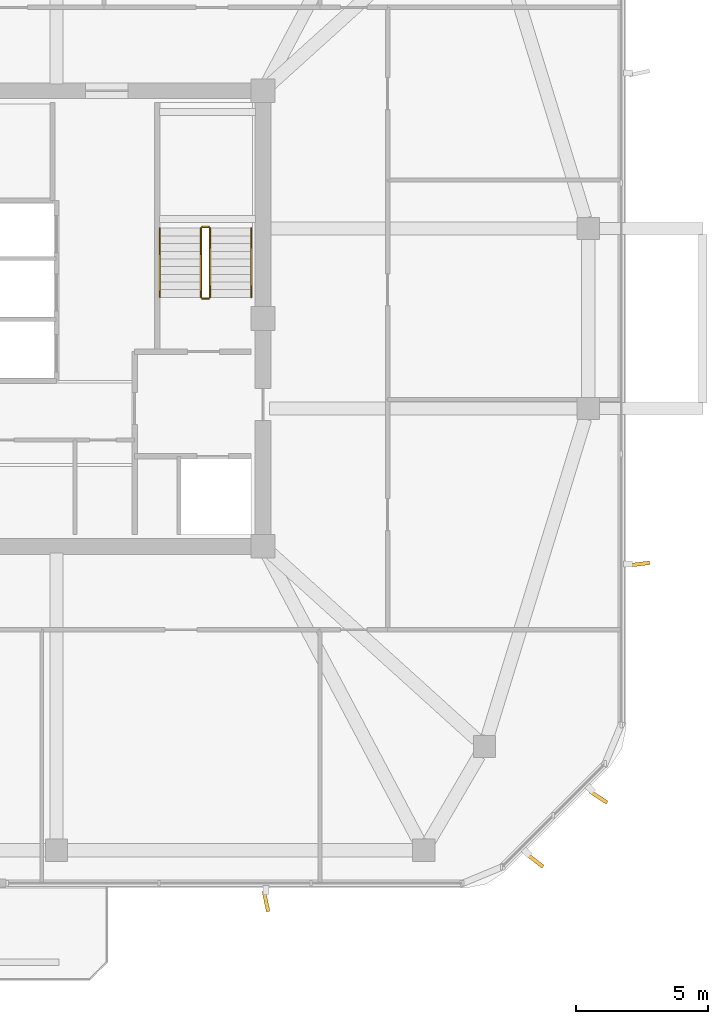
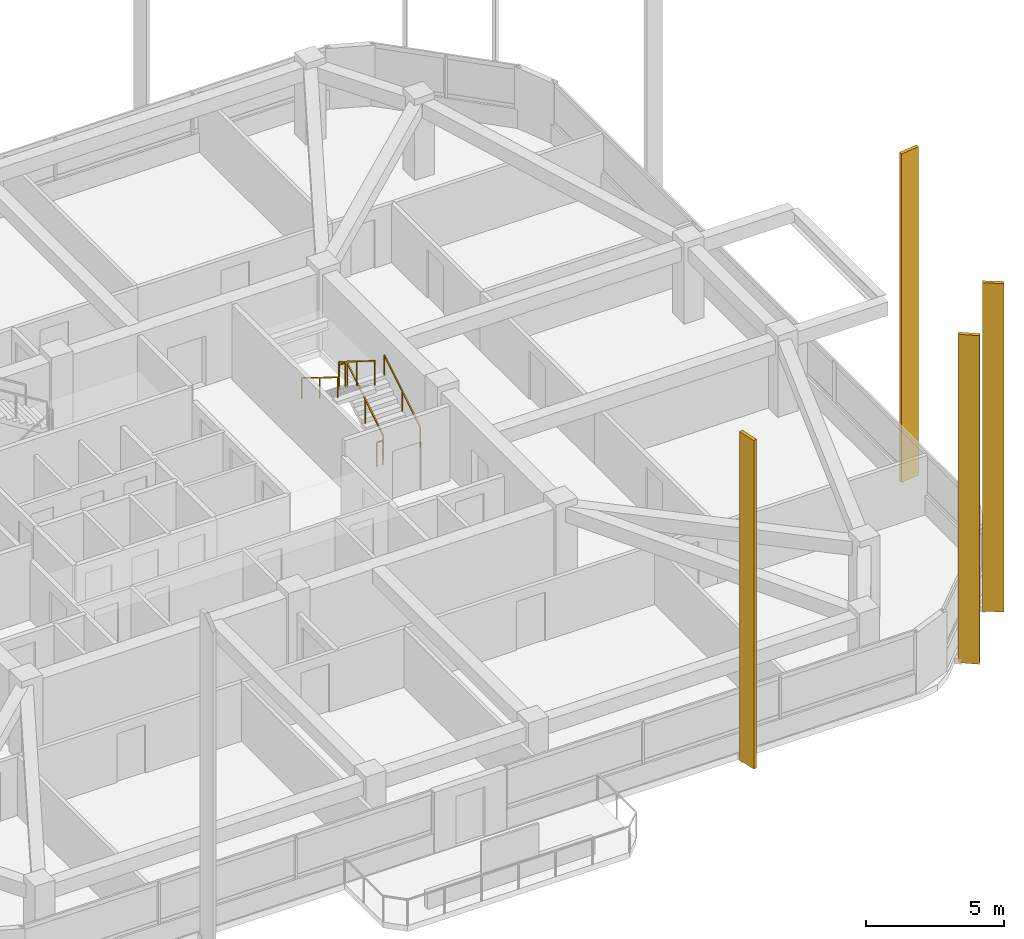
# One storey, part 12 of 13: 6 railings, 4 shading devices.
"""IFC4 building model written with IfcOpenShell, lengths in metres."""

import ifcopenshell
import ifcopenshell.guid

model = None  # the IFC model being written
_history = None  # IfcOwnerHistory: only IFC2X3 demands one
_inside = {}  # id of a spatial element -> (the spatial element, [elements in it])
_under = {}  # id of a project, library or spatial element -> (it, [spatial elements below it])
_declared = {}  # id of a project -> (the project, [libraries it declares])
_typed = {}  # id of a type object -> (the type object, [elements of that type])
_made_of = {}  # id of a material, layer set ... -> (it, [elements and type objects made of it])


def new_model(schema):
    """Start an empty IFC model of exactly this schema.

    Asked for "IFC4X3", IfcOpenShell would pick the latest addendum, in which some entities
    have other attributes; the version numbers below select the first issue.
    IFC2X3 requires an IfcOwnerHistory on every rooted entity: one is made here for all.
    """
    global model, _history
    if schema == "IFC4X3":
        model = ifcopenshell.file(schema_version=(4, 3, 0, 0))
    else:
        model = ifcopenshell.file(schema=schema)
    _inside.clear()
    _under.clear()
    _declared.clear()
    _typed.clear()
    _made_of.clear()
    _history = None
    if model.schema == "IFC2X3":
        org = make("IfcOrganization", Name="unknown")
        user = make(
            "IfcPersonAndOrganization",
            ThePerson=make("IfcPerson", FamilyName="unknown"),
            TheOrganization=org,
        )
        app = make(
            "IfcApplication",
            ApplicationDeveloper=org,
            Version="unknown",
            ApplicationFullName="unknown",
            ApplicationIdentifier="unknown",
        )
        _history = make(
            "IfcOwnerHistory",
            OwningUser=user,
            OwningApplication=app,
            ChangeAction="ADDED",
            CreationDate=0,
        )
    return model


def make(cls, **values):
    """One entity of the class cls with the attributes given. An attribute that is None is left unset."""
    return model.create_entity(
        cls, **{name: value for name, value in values.items() if value is not None}
    )


def rooted(cls, **values):
    """An entity with a GlobalId (a new one), such as an element, a storey or a relation."""
    return make(cls, GlobalId=ifcopenshell.guid.new(), OwnerHistory=_history, **values)


def si_unit(unit_type, name, prefix=None):
    """IfcSIUnit, for example si_unit("LENGTHUNIT", "METRE", prefix="MILLI")."""
    return make("IfcSIUnit", UnitType=unit_type, Prefix=prefix, Name=name)


def derived_unit(unit_type, elements):
    """IfcDerivedUnit: a product of units, each with its exponent."""
    return make(
        "IfcDerivedUnit",
        Elements=[
            make("IfcDerivedUnitElement", Unit=unit, Exponent=power)
            for unit, power in elements
        ],
        UnitType=unit_type,
    )


def assignment(units):
    """IfcUnitAssignment: the units of a project."""
    return None if units is None else make("IfcUnitAssignment", Units=units)


def point(xyz):
    """IfcCartesianPoint."""
    return None if xyz is None else make("IfcCartesianPoint", Coordinates=xyz)


def direction(xyz):
    """IfcDirection."""
    return None if xyz is None else make("IfcDirection", DirectionRatios=xyz)


def frame(location, z_axis=None, x_axis=None):
    """IfcAxis2Placement3D, a coordinate frame: its origin and axes. An axis left out is left unset."""
    return make(
        "IfcAxis2Placement3D",
        Location=point(location),
        Axis=direction(z_axis),
        RefDirection=direction(x_axis),
    )


def frame_2d(location, x_axis=None):
    """IfcAxis2Placement2D, a coordinate frame in the plane: its origin and x axis."""
    return make(
        "IfcAxis2Placement2D", Location=point(location), RefDirection=direction(x_axis)
    )


def origin():
    """The frame at (0, 0, 0) with its axes left unset."""
    return frame((0.0, 0.0, 0.0))


def origin_2d():
    """The frame at (0, 0) in the plane with its x axis left unset."""
    return frame_2d((0.0, 0.0))


def place(relative_to, where):
    """IfcLocalPlacement: puts the frame where relative to a parent placement (None: the world)."""
    return make(
        "IfcLocalPlacement", PlacementRelTo=relative_to, RelativePlacement=where
    )


def context(
    kind, dimensions, precision=None, world=None, true_north=None, identifier=None
):
    """IfcGeometricRepresentationContext, for example the 3D "Model" context."""
    return make(
        "IfcGeometricRepresentationContext",
        ContextIdentifier=identifier,
        ContextType=kind,
        CoordinateSpaceDimension=dimensions,
        Precision=precision,
        WorldCoordinateSystem=world,
        TrueNorth=true_north,
    )


def subcontext(parent, identifier, kind, view, scale=None):
    """IfcGeometricRepresentationSubContext, for example "Body" below "Model"."""
    return make(
        "IfcGeometricRepresentationSubContext",
        ContextIdentifier=identifier,
        ContextType=kind,
        ParentContext=parent,
        TargetScale=scale,
        TargetView=view,
    )


def project(units=None, contexts=None):
    """IfcProject with its units and contexts."""
    return rooted(
        "IfcProject",
        Name="project",
        RepresentationContexts=contexts,
        UnitsInContext=assignment(units),
    )


def spatial(cls, under=None, at=None, **own):
    """A site, building, storey or space (cls), placed at a placement, below another one or the project."""
    s = rooted(cls, ObjectPlacement=at, **own)
    if under is not None:
        _under.setdefault(under.id(), (under, []))[1].append(s)
    return s


def profile(cls, at=None, kind="AREA", **sizes):
    """A parametric profile (cls). Its sizes go by their IFC names, for example OverallWidth=200.0."""
    return make(cls, ProfileType=kind, Position=at, **sizes)


def rectangle(**sizes):
    """IfcRectangleProfileDef."""
    return profile("IfcRectangleProfileDef", **sizes)


def extrude(swept, where, along, depth):
    """IfcExtrudedAreaSolid: the profile swept, set in the frame where, extruded along a direction by depth."""
    return make(
        "IfcExtrudedAreaSolid",
        SweptArea=swept,
        Position=where,
        ExtrudedDirection=direction(along),
        Depth=depth,
    )


def shape(context_of_items, identifier, shape_type, items):
    """IfcShapeRepresentation: the items that make up one representation, for example the "Body"."""
    return make(
        "IfcShapeRepresentation",
        ContextOfItems=context_of_items,
        RepresentationIdentifier=identifier,
        RepresentationType=shape_type,
        Items=items,
    )


def material(Name=None, Category=None):
    """IfcMaterial."""
    return make("IfcMaterial", Name=Name, Category=Category)


def made_of(thing, what):
    """Note that an element or type object is made of a material, layer set ...; save() writes the relation."""
    if what is not None:
        _made_of.setdefault(what.id(), (what, []))[1].append(thing)
    return thing


def type_object(cls, material=None, **own):
    """A type object (cls), such as IfcWallType, which elements share."""
    return made_of(rooted(cls, **own), material)


def element(
    cls,
    number,
    at=None,
    inside=None,
    cuts=None,
    type_object=None,
    material=None,
    context=None,
    identifier="Body",
    shape_type=None,
    held_by="IfcProductDefinitionShape",
    body=None,
    shapes=None,
    **own,
):
    """One element of the class cls, such as IfcWall. Its Tag is "e" and its number.

    at: its placement. inside: the storey or other place that contains it. cuts: it is an
    opening in that element (IfcRelVoidsElement). A single representation is given by context,
    identifier, shape_type and body (its items); several are given by shapes. held_by: the class
    of the entity that holds the representations. save() writes the other relations.
    """
    e = rooted(cls, Tag="e%d" % number, ObjectPlacement=at, **own)
    if body is not None:
        shapes = [shape(context, identifier, shape_type, body)]
    if shapes is not None:
        e.Representation = make(held_by, Representations=shapes)
    if inside is not None:
        _inside.setdefault(inside.id(), (inside, []))[1].append(e)
    if cuts is not None:
        rooted(
            "IfcRelVoidsElement", RelatingBuildingElement=cuts, RelatedOpeningElement=e
        )
    if type_object is not None:
        _typed.setdefault(type_object.id(), (type_object, []))[1].append(e)
    return made_of(e, material)


def aggregate(whole, parts):
    """IfcRelAggregates: a whole, such as a stair, and the parts it consists of."""
    return rooted("IfcRelAggregates", RelatingObject=whole, RelatedObjects=parts)


def save(model, path):
    """Write the relations noted so far, then the file.

    IfcRelAggregates (storeys below a building ...), IfcRelContainedInSpatialStructure (elements
    in a storey), IfcRelDefinesByType, IfcRelAssociatesMaterial and IfcRelDeclares: one each for
    every whole, place, type object, material and project.
    """
    for whole, parts in _under.values():
        aggregate(whole, parts)
    for where, things in _inside.values():
        rooted(
            "IfcRelContainedInSpatialStructure",
            RelatedElements=things,
            RelatingStructure=where,
        )
    for kind, things in _typed.values():
        rooted("IfcRelDefinesByType", RelatedObjects=things, RelatingType=kind)
    for what, things in _made_of.values():
        rooted("IfcRelAssociatesMaterial", RelatedObjects=things, RelatingMaterial=what)
    for by, libraries in _declared.values():
        rooted("IfcRelDeclares", RelatingContext=by, RelatedDefinitions=libraries)
    model.write(path)


model = new_model("IFC4")

# Units and contexts
model_context = context("Model", 3, precision=1e-05, world=origin(), true_north=direction((0.0, 1.0)))
body_context = subcontext(model_context, "Body", "Model", "MODEL_VIEW")
ifc_project = project(units=[si_unit("LENGTHUNIT", "METRE"), si_unit("AREAUNIT", "SQUARE_METRE"), si_unit("VOLUMEUNIT", "CUBIC_METRE"), si_unit("PLANEANGLEUNIT", "RADIAN"), si_unit("MASSUNIT", "GRAM", prefix="KILO"), derived_unit("THERMALTRANSMITTANCEUNIT", [(si_unit("POWERUNIT", "WATT"), 1), (si_unit("LENGTHUNIT", "METRE"), -2), (si_unit("THERMODYNAMICTEMPERATUREUNIT", "KELVIN"), -1)])], contexts=[model_context])

# Site, building, storey
site_placement = place(None, origin())
site = spatial("IfcSite", under=ifc_project, at=site_placement, CompositionType="ELEMENT")
building_placement = place(site_placement, origin())
building = spatial("IfcBuilding", under=site, at=building_placement, Name="Koralith Skygarden Medical Center", CompositionType="ELEMENT")
storey_placement = place(building_placement, frame((0.0, 0.0, 253.6201171875)))
storey = spatial("IfcBuildingStorey", under=building, at=storey_placement, Name="L65", CompositionType="ELEMENT", Elevation=253.6201171875)

# Shading devices
ifc_material_1 = material(Name="Aluminium 6063-T6", Category="aluminium")
shading_device_type = type_object("IfcShadingDeviceType", Name="Limestone-Clad Solar Storm Fin 780", PredefinedType="USERDEFINED", material=ifc_material_1)
for number, where, z_axis, x_axis, name in (
    (1, (48.31005859375, 3.889892578125, -0.2001953125), (0.0, 0.0, 1.0), (0.208901754101, -0.977936632473, 0.0), "L65 S Harmonic Solar Storm Fin 2"),
    (2, (58.4619140625, 5.43994140625, -0.2001953125), (0.0, 0.0, 1.0), (0.789330611134, -0.613968391961, 0.0), "L65 SE Harmonic Solar Storm Fin 1"),
    (3, (60.860107421875, 7.837890625, -0.2001953125), (0.0, 0.0, 1.0), (0.83922147132, -0.543789777466, 0.0), "L65 SE Harmonic Solar Storm Fin 2"),
    (4, (62.409912109375, 16.6298828125, -0.2001953125), (0.0, 0.0, 1.0), (0.992282241121, 0.123999814342, 0.0), "L65 E Harmonic Solar Storm Fin 1"),
):
    element("IfcShadingDevice", number, at=place(storey_placement, frame(where, z_axis=z_axis, x_axis=x_axis)), inside=storey, type_object=shading_device_type, Name=name, ObjectType="SOLAR FIN", PredefinedType="USERDEFINED", context=body_context, shape_type="SweptSolid", body=[
        extrude(rectangle(XDim=0.780029296875, YDim=0.139892578125, at=origin_2d()), origin(), (0.0, 0.0, 1.0), 14.550048828125),
    ])

# Railings
ifc_material_2 = material(Name="Steel ASTM A500 Grade C", Category="steel")
railing_type_1 = type_object("IfcRailingType", Name="Stair Flight Tubular Handrail 920", PredefinedType="HANDRAIL", material=ifc_material_2)
railing_1_placement = place(storey_placement, frame((47.75, 26.699951171875, 0.179931640625)))
element("IfcRailing", 5, at=railing_1_placement, inside=storey, type_object=railing_type_1, Name="L65 ST2 stair handrail 1", PredefinedType="HANDRAIL", context=body_context, shape_type="SweptSolid", body=[
    extrude(rectangle(XDim=0.050048828125, YDim=0.050048828125, at=origin_2d()), frame((0.0, 0.001708984375, 0.89599609375), z_axis=(0.0, 0.849668407637, 0.527317358963), x_axis=(-1.0, 0.0, 0.0)), (0.0, 0.0, 1.0), 3.06787109375),
    extrude(rectangle(XDim=0.0419921875, YDim=0.0419921875, at=origin_2d()), origin(), (0.0, 0.0, 1.0), 0.867919921875),
    extrude(rectangle(XDim=0.0419921875, YDim=0.0419921875, at=origin_2d()), frame((0.0, 1.30517578125, 0.81005859375)), (0.0, 0.0, 1.0), 0.867919921875),
    extrude(rectangle(XDim=0.0419921875, YDim=0.0419921875, at=origin_2d()), frame((0.0, 2.610107421875, 1.619873046875)), (0.0, 0.0, 1.0), 0.867919921875),
])
railing_2_placement = place(storey_placement, frame((44.300048828125, 29.31005859375, 1.97998046875)))
element("IfcRailing", 6, at=railing_2_placement, inside=storey, type_object=railing_type_1, Name="L65 ST2 stair handrail 2", PredefinedType="HANDRAIL", context=body_context, shape_type="SweptSolid", body=[
    extrude(rectangle(XDim=0.050048828125, YDim=0.050048828125, at=origin_2d()), frame((0.0, -0.001708984375, 0.89599609375), z_axis=(0.0, -0.849668407637, 0.527317358963), x_axis=(1.0, 0.0, 0.0)), (0.0, 0.0, 1.0), 3.06787109375),
    extrude(rectangle(XDim=0.0419921875, YDim=0.0419921875, at=origin_2d()), origin(), (0.0, 0.0, 1.0), 0.867919921875),
    extrude(rectangle(XDim=0.0419921875, YDim=0.0419921875, at=origin_2d()), frame((0.0, -1.30517578125, 0.81005859375)), (0.0, 0.0, 1.0), 0.867919921875),
    extrude(rectangle(XDim=0.0419921875, YDim=0.0419921875, at=origin_2d()), frame((0.0, -2.610107421875, 1.619873046875)), (0.0, 0.0, 1.0), 0.867919921875),
])
railing_type_2 = type_object("IfcRailingType", Name="Stair Well Safety Guardrail 1100", PredefinedType="GUARDRAIL", material=ifc_material_2)
railing_3_placement = place(storey_placement, frame((46.199951171875, 26.699951171875, 0.179931640625)))
element("IfcRailing", 7, at=railing_3_placement, inside=storey, type_object=railing_type_2, Name="L65 ST2 stair guard 1", PredefinedType="GUARDRAIL", context=body_context, shape_type="SweptSolid", body=[
    extrude(rectangle(XDim=0.050048828125, YDim=0.050048828125, at=origin_2d()), frame((0.0, 0.001708984375, 1.076171875), z_axis=(0.0, 0.849668407637, 0.527317358963), x_axis=(-1.0, 0.0, 0.0)), (0.0, 0.0, 1.0), 3.06787109375),
    extrude(rectangle(XDim=0.0419921875, YDim=0.0419921875, at=origin_2d()), origin(), (0.0, 0.0, 1.0), 1.048095703125),
    extrude(rectangle(XDim=0.0419921875, YDim=0.0419921875, at=origin_2d()), frame((0.0, 1.30517578125, 0.81005859375)), (0.0, 0.0, 1.0), 1.048095703125),
    extrude(rectangle(XDim=0.0419921875, YDim=0.0419921875, at=origin_2d()), frame((0.0, 2.610107421875, 1.619873046875)), (0.0, 0.0, 1.0), 1.048095703125),
])
railing_4_placement = place(storey_placement, frame((46.14990234375, 29.360107421875, 1.7998046875)))
element("IfcRailing", 8, at=railing_4_placement, inside=storey, type_object=railing_type_2, Name="L65 ST2 stair guard 2", PredefinedType="GUARDRAIL", context=body_context, shape_type="SweptSolid", body=[
    extrude(rectangle(XDim=0.050048828125, YDim=0.050048828125, at=origin_2d()), frame((-0.001953125, 0.0, 1.0751953125), z_axis=(-1.0, 0.0, 0.0), x_axis=(0.0, -1.0, 0.0)), (0.0, 0.0, 1.0), 0.24609375),
    extrude(rectangle(XDim=0.0419921875, YDim=0.0419921875, at=origin_2d()), origin(), (0.0, 0.0, 1.0), 1.048095703125),
    extrude(rectangle(XDim=0.0419921875, YDim=0.0419921875, at=origin_2d()), frame((-0.25, 0.0, 0.0)), (0.0, 0.0, 1.0), 1.048095703125),
])
railing_5_placement = place(storey_placement, frame((45.85009765625, 29.31005859375, 1.97998046875)))
element("IfcRailing", 9, at=railing_5_placement, inside=storey, type_object=railing_type_2, Name="L65 ST2 stair guard 3", PredefinedType="GUARDRAIL", context=body_context, shape_type="SweptSolid", body=[
    extrude(rectangle(XDim=0.050048828125, YDim=0.050048828125, at=origin_2d()), frame((0.0, -0.001708984375, 1.076171875), z_axis=(0.0, -0.849668407637, 0.527317358963), x_axis=(1.0, 0.0, 0.0)), (0.0, 0.0, 1.0), 3.06787109375),
    extrude(rectangle(XDim=0.0419921875, YDim=0.0419921875, at=origin_2d()), origin(), (0.0, 0.0, 1.0), 1.048095703125),
    extrude(rectangle(XDim=0.0419921875, YDim=0.0419921875, at=origin_2d()), frame((0.0, -1.30517578125, 0.81005859375)), (0.0, 0.0, 1.0), 1.048095703125),
    extrude(rectangle(XDim=0.0419921875, YDim=0.0419921875, at=origin_2d()), frame((0.0, -2.610107421875, 1.619873046875)), (0.0, 0.0, 1.0), 1.048095703125),
])
railing_6_placement = place(storey_placement, frame((46.14990234375, 26.64990234375, 0.0)))
element("IfcRailing", 10, at=railing_6_placement, inside=storey, type_object=railing_type_2, Name="L65 ST2 stair guard 4", PredefinedType="GUARDRAIL", context=body_context, shape_type="SweptSolid", body=[
    extrude(rectangle(XDim=0.050048828125, YDim=0.050048828125, at=origin_2d()), frame((-0.001953125, 0.0, 1.0751953125), z_axis=(-1.0, 0.0, 0.0), x_axis=(0.0, -1.0, 0.0)), (0.0, 0.0, 1.0), 0.24609375),
    extrude(rectangle(XDim=0.0419921875, YDim=0.0419921875, at=origin_2d()), origin(), (0.0, 0.0, 1.0), 1.048095703125),
    extrude(rectangle(XDim=0.0419921875, YDim=0.0419921875, at=origin_2d()), frame((-0.25, 0.0, 0.0)), (0.0, 0.0, 1.0), 1.048095703125),
])

save(model, "model.ifc")
